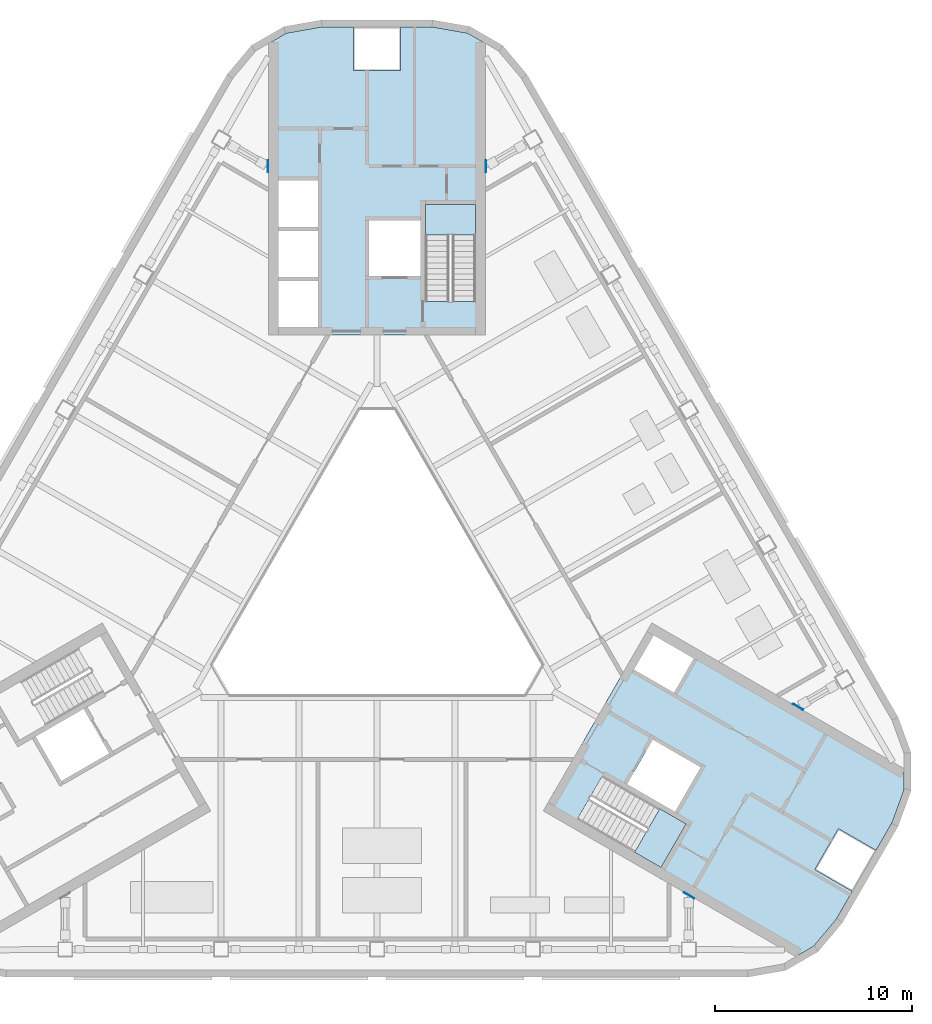
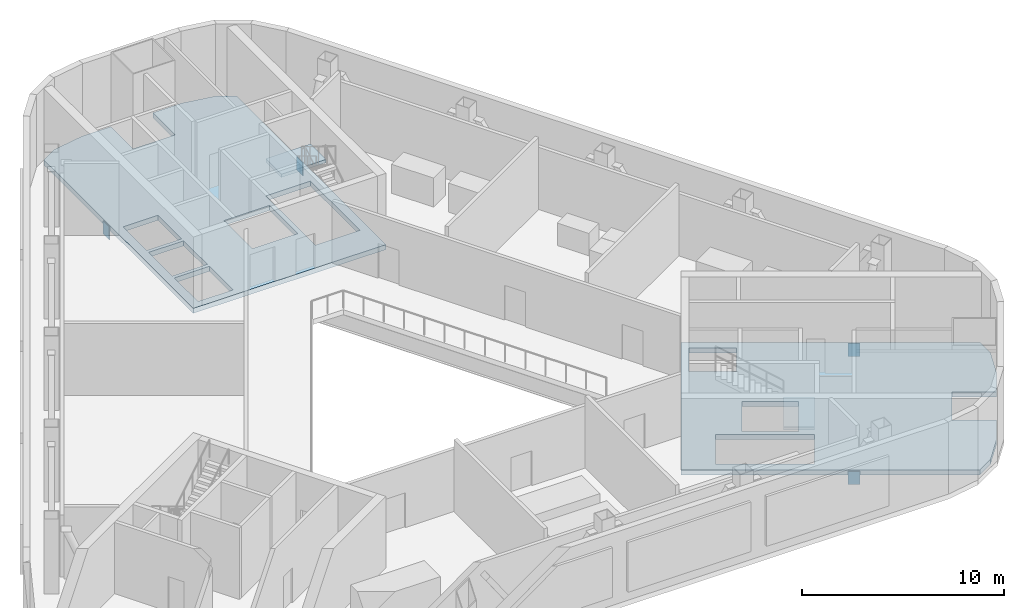
# One storey, part 5 of 14: 4 plates, 4 slabs, 2 elements without a shape of their own.
"""IFC4 building model written with IfcOpenShell, lengths in metres."""

from ifc_helpers import new_model, si_unit, direction, frame, origin, origin_2d, place, context, subcontext, project, spatial, polyline, rectangle, outline, extrude, material, layer, layer_set, type_object, element, aggregate, save


model = new_model("IFC4")

# Units and contexts
model_context = context("Model", 3, precision=1e-05, world=origin(), true_north=direction((0.0, 1.0)))
body_context = subcontext(model_context, "Body", "Model", "MODEL_VIEW")
ifc_project = project(units=[si_unit("LENGTHUNIT", "METRE"), si_unit("AREAUNIT", "SQUARE_METRE"), si_unit("VOLUMEUNIT", "CUBIC_METRE"), si_unit("PLANEANGLEUNIT", "RADIAN"), si_unit("MASSUNIT", "GRAM", prefix="KILO")], contexts=[model_context])

# Site, building, storey
site_placement = place(None, origin())
site = spatial("IfcSite", under=ifc_project, at=site_placement, CompositionType="ELEMENT")
building_placement = place(site_placement, origin())
building = spatial("IfcBuilding", under=site, at=building_placement, Name="Apuvela Tower Hotel", CompositionType="ELEMENT")
storey_placement = place(building_placement, frame((0.0, 0.0, 242.199951171875)))
storey = spatial("IfcBuildingStorey", under=building, at=storey_placement, Name="L59 Plant", CompositionType="ELEMENT", Elevation=242.199951171875)

# Slabs
ifc_material_1 = material(Name="Concrete C50/60", Category="concrete")
ifc_layer_1 = layer(ifc_material_1, 0.300048828125)
ifc_layer_set_1 = layer_set([ifc_layer_1], Name="COR-FLOOR-300")
slab_type_1 = type_object("IfcSlabType", Name="COR-FLOOR-300", PredefinedType="FLOOR", material=ifc_layer_set_1)
slab_1_placement = place(storey_placement, frame((0.0, 0.0, -0.300048828125)))
element("IfcSlab", 1, at=slab_1_placement, inside=storey, type_object=slab_type_1, Name="Core floor N", PredefinedType="FLOOR", context=body_context, shape_type="SweptSolid", body=[
    extrude(outline(polyline([(5.5, 27.668212890625), (4.588623046875, 28.1943359375), (2.85498046875, 28.5), (1.199951171875, 28.5), (1.199951171875, 26.300048828125), (-1.199951171875, 26.300048828125), (-1.199951171875, 28.5), (-2.85498046875, 28.5), (-4.588623046875, 28.1943359375), (-5.5, 27.668212890625), (-5.5, 12.89990234375), (5.5, 12.89990234375), (5.5, 27.668212890625)]), holes=[polyline([(-3.0, 13.300048828125), (-5.0, 13.300048828125), (-5.0, 15.639892578125), (-3.0, 15.639892578125), (-3.0, 13.300048828125)]), polyline([(-3.0, 15.840087890625), (-5.0, 15.840087890625), (-5.0, 18.179931640625), (-3.0, 18.179931640625), (-3.0, 15.840087890625)]), polyline([(5.0, 14.60595703125), (2.449951171875, 14.60595703125), (2.449951171875, 19.5), (5.0, 19.5), (5.0, 14.60595703125)]), polyline([(2.199951171875, 18.699951171875), (2.199951171875, 15.89990234375), (-0.39990234375, 15.89990234375), (-0.39990234375, 18.699951171875), (2.199951171875, 18.699951171875)]), polyline([(-3.0, 20.719970703125), (-3.0, 18.3798828125), (-5.0, 18.3798828125), (-5.0, 20.719970703125), (-3.0, 20.719970703125)])]), origin(), (0.0, 0.0, 1.0), 0.300048828125),
])
slab_2_placement = place(storey_placement, frame((0.0, 0.0, -0.300048828125)))
element("IfcSlab", 2, at=slab_2_placement, inside=storey, type_object=slab_type_1, Name="Core floor SE", PredefinedType="FLOOR", context=body_context, shape_type="SweptSolid", body=[
    extrude(outline(polyline([(21.211181640625, -18.59716796875), (22.122802734375, -18.071044921875), (23.254150390625, -16.72265625), (24.081787109375, -15.289306640625), (22.176513671875, -14.189208984375), (23.37646484375, -12.11083984375), (25.28173828125, -13.210693359375), (26.109375, -11.77734375), (26.711181640625, -10.123291015625), (26.711181640625, -9.07080078125), (13.921630859375, -1.68701171875), (8.421630859375, -11.213134765625), (21.211181640625, -18.59716796875)]), holes=[polyline([(14.01806640625, -2.31982421875), (16.044677734375, -3.489990234375), (15.044677734375, -5.221923828125), (13.01806640625, -4.052001953125), (14.01806640625, -2.31982421875)]), polyline([(10.149169921875, -11.633056640625), (11.42431640625, -9.4248046875), (15.66259765625, -11.871826171875), (14.387451171875, -14.080078125), (10.149169921875, -11.633056640625)]), polyline([(12.669921875, -9.855224609375), (13.9697265625, -7.603515625), (16.394775390625, -9.003662109375), (15.0947265625, -11.25537109375), (12.669921875, -9.855224609375)])]), origin(), (0.0, 0.0, 1.0), 0.300048828125),
])

# Stair, slab
stair_type = type_object("IfcStairType", Name="COR-STAIR-26R", PredefinedType="HALF_TURN_STAIR", material=ifc_material_1)
stair_1_placement = place(storey_placement, origin())
stair_1 = element("IfcStair", 3, at=stair_1_placement, inside=storey, type_object=stair_type, Name="L59 Plant Exit stair ST1", PredefinedType="HALF_TURN_STAIR")
ifc_layer_2 = layer(ifc_material_1, 0.199951171875)
ifc_layer_set_2 = layer_set([ifc_layer_2], Name="COR-LANDING-200")
slab_type_2 = type_object("IfcSlabType", Name="COR-LANDING-200", PredefinedType="LANDING", material=ifc_layer_set_2)
slab_3_placement = place(storey_placement, frame((0.0, 0.0, 2.050048828125)))
slab_3 = element("IfcSlab", 4, at=slab_3_placement, type_object=slab_type_2, Name="ST1 landing 1", PredefinedType="LANDING", context=body_context, shape_type="SweptSolid", body=[
    extrude(outline(polyline([(5.0, 17.9541015625), (5.0, 19.5), (2.449951171875, 19.5), (2.449951171875, 17.9541015625), (5.0, 17.9541015625)])), origin(), (0.0, 0.0, 1.0), 0.199951171875),
])
aggregate(stair_1, [slab_3])

stair_2_placement = place(storey_placement, origin())
stair_2 = element("IfcStair", 5, at=stair_2_placement, inside=storey, type_object=stair_type, Name="L59 Plant Exit stair ST3", PredefinedType="HALF_TURN_STAIR")
slab_4_placement = place(storey_placement, frame((0.0, 0.0, 2.050048828125)))
slab_4 = element("IfcSlab", 6, at=slab_4_placement, type_object=slab_type_2, Name="ST3 landing 1", PredefinedType="LANDING", context=body_context, shape_type="SweptSolid", body=[
    extrude(outline(polyline([(13.048583984375, -13.30712890625), (14.387451171875, -14.080078125), (15.66259765625, -11.871826171875), (14.32373046875, -11.098876953125), (13.048583984375, -13.30712890625)])), origin(), (0.0, 0.0, 1.0), 0.199951171875),
])
aggregate(stair_2, [slab_4])

# Plates
ifc_material_2 = material(Name="Steel S355", Category="steel")
ifc_layer_3 = layer(ifc_material_2, 0.0400390625)
ifc_layer_set_3 = layer_set([ifc_layer_3], Name="STR-CP 40 Steel S355")
plate_type = type_object("IfcPlateType", Name="STR-CP 40 Steel S355", PredefinedType="SHEET", material=ifc_layer_set_3)
for number, where, z_axis, x_axis, name in (
    (7, (21.330078125, -5.94091796875, -0.86474609375), (0.0, 0.0, 1.0), (-0.5, -0.866025403784, 0.0), "Cast-in plate CP-T2-85 40"),
    (8, (5.52001953125, 21.44287109375, -0.86474609375), (0.0, 0.0, 1.0), (-1.0, 0.0, 0.0), "Cast-in plate CP-T2-86 40"),
    (9, (-5.52001953125, 21.44287109375, -0.86474609375), (0.0, 0.0, 1.0), (1.0, 0.0, 0.0), "Cast-in plate CP-T2-87 40"),
    (10, (15.81005859375, -15.501953125, -0.86474609375), (0.0, 0.0, 1.0), (0.5, 0.866025403784, 0.0), "Cast-in plate CP-T2-90 40"),
):
    element("IfcPlate", number, at=place(storey_placement, frame(where, z_axis=z_axis, x_axis=x_axis)), inside=storey, type_object=plate_type, Name=name, PredefinedType="SHEET", context=body_context, shape_type="SweptSolid", body=[
        extrude(rectangle(XDim=0.0400390625, YDim=0.60009765625, at=origin_2d()), origin(), (0.0, 0.0, 1.0), 0.800048828125),
    ])

save(model, "model.ifc")
